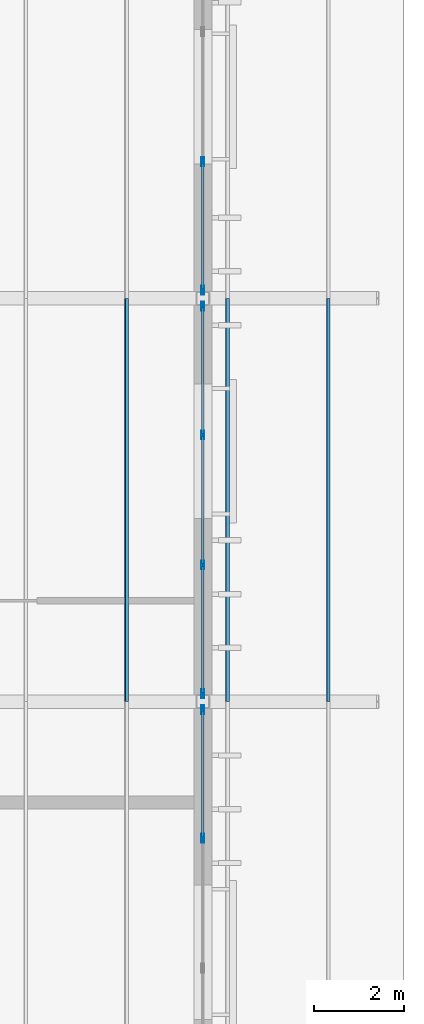
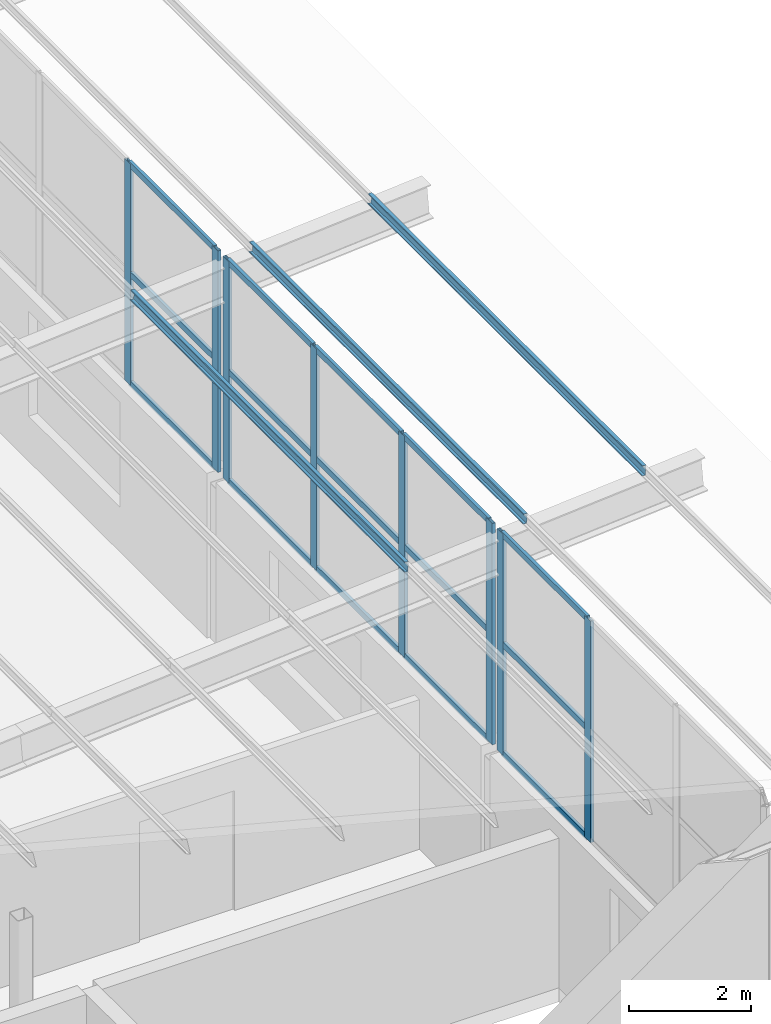
# One storey, part 42 of 85: 26 members, 3 elements without a shape of their own.
"""IFC4 building model written with IfcOpenShell, lengths in metres."""

from ifc_helpers import new_model, si_unit, direction, frame, origin, origin_2d, place, context, subcontext, project, spatial, polyline, hollow_rectangle, outline, extrude, material, layer, layer_set, material_profile, profile_set, type_object, element, aggregate, save


model = new_model("IFC4")

# Units and contexts
model_context = context("Model", 3, precision=1e-05, world=origin(), true_north=direction((0.0, 1.0)))
body_context = subcontext(model_context, "Body", "Model", "MODEL_VIEW")
ifc_project = project(units=[si_unit("LENGTHUNIT", "METRE"), si_unit("AREAUNIT", "SQUARE_METRE"), si_unit("VOLUMEUNIT", "CUBIC_METRE"), si_unit("PLANEANGLEUNIT", "RADIAN"), si_unit("MASSUNIT", "GRAM", prefix="KILO")], contexts=[model_context])

# Site, building, storey
site_placement = place(None, origin())
site = spatial("IfcSite", under=ifc_project, at=site_placement, CompositionType="ELEMENT")
building_placement = place(site_placement, origin())
building = spatial("IfcBuilding", under=site, at=building_placement, Name="Opaline Strait Convention Centre", CompositionType="ELEMENT")
storey_placement = place(building_placement, frame((0.0, 0.0, 17.0)))
storey = spatial("IfcBuildingStorey", under=building, at=storey_placement, Name="L03", CompositionType="ELEMENT", Elevation=17.0)

# Curtain wall, members
ifc_material_1 = material(Name="Aluminium framed double glazing", Category="aluminium")
ifc_layer = layer(ifc_material_1, 0.199951171875)
ifc_layer_set = layer_set([ifc_layer], Name="Aluminium framed double glazing")
curtain_wall_type = type_object("IfcCurtainWallType", Name="Curtain wall 3000 module unitised", PredefinedType="NOTDEFINED", material=ifc_layer_set)
curtain_wall_1_placement = place(storey_placement, origin())
curtain_wall_1 = element("IfcCurtainWall", 1, at=curtain_wall_1_placement, inside=storey, type_object=curtain_wall_type, Name="Clerestory curtain wall E L03 41/L", PredefinedType="NOTDEFINED")
ifc_material_2 = material(Name="Aluminium alloy 6063", Category="aluminium")
ifc_material_profile_1 = material_profile(ifc_material_2, hollow_rectangle(XDim=0.06005859375, YDim=0.199951171875, WallThickness=0.00390625, at=origin_2d()), Name="MULLION 60x200x4")
ifc_profile_set_1 = profile_set([ifc_material_profile_1], Name="Aluminium alloy 6063")
member_type_1 = type_object("IfcMemberType", Name="Curtain wall mullion 60 x 200", PredefinedType="MULLION", material=ifc_profile_set_1)
member_1_placement = place(storey_placement, frame((360.0, 95.949951171875, 3.300048828125), z_axis=(0.0, 0.0, 1.0), x_axis=(-1.0, 0.0, 0.0)))
member_1 = element("IfcMember", 2, at=member_1_placement, type_object=member_type_1, Name="MCWR1 mullion 3", PredefinedType="MULLION", context=body_context, shape_type="SweptSolid", body=[
    extrude(hollow_rectangle(XDim=0.06005859375, YDim=0.199951171875, WallThickness=0.00390625, at=origin_2d()), origin(), (0.0, 0.0, 1.0), 4.43603515625),
])
member_2_placement = place(storey_placement, frame((360.0, 98.820068359375, 3.300048828125), z_axis=(0.0, 0.0, 1.0), x_axis=(-1.0, 0.0, 0.0)))
member_2 = element("IfcMember", 3, at=member_2_placement, type_object=member_type_1, Name="MCWR1 mullion 4", PredefinedType="MULLION", context=body_context, shape_type="SweptSolid", body=[
    extrude(hollow_rectangle(XDim=0.06005859375, YDim=0.199951171875, WallThickness=0.00390625, at=origin_2d()), origin(), (0.0, 0.0, 1.0), 4.43603515625),
])

curtain_wall_2_placement = place(storey_placement, origin())
curtain_wall_2 = element("IfcCurtainWall", 4, at=curtain_wall_2_placement, inside=storey, type_object=curtain_wall_type, Name="Clerestory curtain wall E L03 41/M", PredefinedType="NOTDEFINED")
member_3_placement = place(storey_placement, frame((360.0, 99.179931640625, 3.300048828125), z_axis=(0.0, 0.0, 1.0), x_axis=(-1.0, 0.0, 0.0)))
member_3 = element("IfcMember", 5, at=member_3_placement, type_object=member_type_1, Name="MCWR1 mullion 1", PredefinedType="MULLION", context=body_context, shape_type="SweptSolid", body=[
    extrude(hollow_rectangle(XDim=0.06005859375, YDim=0.199951171875, WallThickness=0.00390625, at=origin_2d()), origin(), (0.0, 0.0, 1.0), 4.43603515625),
])
member_4_placement = place(storey_placement, frame((360.0, 102.050048828125, 3.300048828125), z_axis=(0.0, 0.0, 1.0), x_axis=(-1.0, 0.0, 0.0)))
member_4 = element("IfcMember", 6, at=member_4_placement, type_object=member_type_1, Name="MCWR1 mullion 2", PredefinedType="MULLION", context=body_context, shape_type="SweptSolid", body=[
    extrude(hollow_rectangle(XDim=0.06005859375, YDim=0.199951171875, WallThickness=0.00390625, at=origin_2d()), origin(), (0.0, 0.0, 1.0), 4.43603515625),
])
member_5_placement = place(storey_placement, frame((360.0, 104.949951171875, 3.300048828125), z_axis=(0.0, 0.0, 1.0), x_axis=(-1.0, 0.0, 0.0)))
member_5 = element("IfcMember", 7, at=member_5_placement, type_object=member_type_1, Name="MCWR1 mullion 3", PredefinedType="MULLION", context=body_context, shape_type="SweptSolid", body=[
    extrude(hollow_rectangle(XDim=0.06005859375, YDim=0.199951171875, WallThickness=0.00390625, at=origin_2d()), origin(), (0.0, 0.0, 1.0), 4.43603515625),
])
member_6_placement = place(storey_placement, frame((360.0, 107.820068359375, 3.300048828125), z_axis=(0.0, 0.0, 1.0), x_axis=(-1.0, 0.0, 0.0)))
member_6 = element("IfcMember", 8, at=member_6_placement, type_object=member_type_1, Name="MCWR1 mullion 4", PredefinedType="MULLION", context=body_context, shape_type="SweptSolid", body=[
    extrude(hollow_rectangle(XDim=0.06005859375, YDim=0.199951171875, WallThickness=0.00390625, at=origin_2d()), origin(), (0.0, 0.0, 1.0), 4.43603515625),
])

curtain_wall_3_placement = place(storey_placement, origin())
curtain_wall_3 = element("IfcCurtainWall", 9, at=curtain_wall_3_placement, inside=storey, type_object=curtain_wall_type, Name="Clerestory curtain wall E L03 41/N", PredefinedType="NOTDEFINED")
member_7_placement = place(storey_placement, frame((360.0, 108.179931640625, 3.300048828125), z_axis=(0.0, 0.0, 1.0), x_axis=(-1.0, 0.0, 0.0)))
member_7 = element("IfcMember", 10, at=member_7_placement, type_object=member_type_1, Name="MCWR1 mullion 1", PredefinedType="MULLION", context=body_context, shape_type="SweptSolid", body=[
    extrude(hollow_rectangle(XDim=0.06005859375, YDim=0.199951171875, WallThickness=0.00390625, at=origin_2d()), origin(), (0.0, 0.0, 1.0), 4.43603515625),
])
member_8_placement = place(storey_placement, frame((360.0, 111.050048828125, 3.300048828125), z_axis=(0.0, 0.0, 1.0), x_axis=(-1.0, 0.0, 0.0)))
member_8 = element("IfcMember", 11, at=member_8_placement, type_object=member_type_1, Name="MCWR1 mullion 2", PredefinedType="MULLION", context=body_context, shape_type="SweptSolid", body=[
    extrude(hollow_rectangle(XDim=0.06005859375, YDim=0.199951171875, WallThickness=0.00390625, at=origin_2d()), origin(), (0.0, 0.0, 1.0), 4.43603515625),
])

# Member
ifc_material_profile_2 = material_profile(ifc_material_2, hollow_rectangle(XDim=0.06005859375, YDim=0.1201171875, WallThickness=0.0029296875, at=origin_2d()), Name="TRANSOM 60x120x3")
ifc_profile_set_2 = profile_set([ifc_material_profile_2], Name="Aluminium alloy 6063")
member_type_2 = type_object("IfcMemberType", Name="Curtain wall transom 60 x 120", PredefinedType="USERDEFINED", material=ifc_profile_set_2)
member_9_placement = place(storey_placement, frame((360.0, 95.97998046875, 3.330078125), z_axis=(0.0, 1.0, 0.0), x_axis=(-1.0, 0.0, 0.0)))
member_9 = element("IfcMember", 12, at=member_9_placement, type_object=member_type_2, Name="MCWR1 transom 3.1", ObjectType="TRANSOM", PredefinedType="USERDEFINED", context=body_context, shape_type="SweptSolid", body=[
    extrude(hollow_rectangle(XDim=0.06005859375, YDim=0.1201171875, WallThickness=0.0029296875, at=origin_2d()), origin(), (0.0, 0.0, 1.0), 2.81005859375),
])

member_10_placement = place(storey_placement, frame((360.0, 95.97998046875, 5.51806640625), z_axis=(0.0, 1.0, 0.0), x_axis=(-1.0, 0.0, 0.0)))
member_10 = element("IfcMember", 13, at=member_10_placement, type_object=member_type_2, Name="MCWR1 transom 3.2", ObjectType="TRANSOM", PredefinedType="USERDEFINED", context=body_context, shape_type="SweptSolid", body=[
    extrude(hollow_rectangle(XDim=0.06005859375, YDim=0.1201171875, WallThickness=0.0029296875, at=origin_2d()), origin(), (0.0, 0.0, 1.0), 2.81005859375),
])

member_11_placement = place(storey_placement, frame((360.0, 95.97998046875, 7.7060546875), z_axis=(0.0, 1.0, 0.0), x_axis=(-1.0, 0.0, 0.0)))
member_11 = element("IfcMember", 14, at=member_11_placement, type_object=member_type_2, Name="MCWR1 transom 3.3", ObjectType="TRANSOM", PredefinedType="USERDEFINED", context=body_context, shape_type="SweptSolid", body=[
    extrude(hollow_rectangle(XDim=0.06005859375, YDim=0.1201171875, WallThickness=0.0029296875, at=origin_2d()), origin(), (0.0, 0.0, 1.0), 2.81005859375),
])

aggregate(curtain_wall_1, [member_1, member_2, member_9, member_10, member_11])

member_12_placement = place(storey_placement, frame((360.0, 99.2099609375, 3.330078125), z_axis=(0.0, 1.0, 0.0), x_axis=(-1.0, 0.0, 0.0)))
member_12 = element("IfcMember", 15, at=member_12_placement, type_object=member_type_2, Name="MCWR1 transom 1.1", ObjectType="TRANSOM", PredefinedType="USERDEFINED", context=body_context, shape_type="SweptSolid", body=[
    extrude(hollow_rectangle(XDim=0.06005859375, YDim=0.1201171875, WallThickness=0.0029296875, at=origin_2d()), origin(), (0.0, 0.0, 1.0), 2.81005859375),
])

member_13_placement = place(storey_placement, frame((360.0, 99.2099609375, 5.51806640625), z_axis=(0.0, 1.0, 0.0), x_axis=(-1.0, 0.0, 0.0)))
member_13 = element("IfcMember", 16, at=member_13_placement, type_object=member_type_2, Name="MCWR1 transom 1.2", ObjectType="TRANSOM", PredefinedType="USERDEFINED", context=body_context, shape_type="SweptSolid", body=[
    extrude(hollow_rectangle(XDim=0.06005859375, YDim=0.1201171875, WallThickness=0.0029296875, at=origin_2d()), origin(), (0.0, 0.0, 1.0), 2.81005859375),
])

member_14_placement = place(storey_placement, frame((360.0, 99.2099609375, 7.7060546875), z_axis=(0.0, 1.0, 0.0), x_axis=(-1.0, 0.0, 0.0)))
member_14 = element("IfcMember", 17, at=member_14_placement, type_object=member_type_2, Name="MCWR1 transom 1.3", ObjectType="TRANSOM", PredefinedType="USERDEFINED", context=body_context, shape_type="SweptSolid", body=[
    extrude(hollow_rectangle(XDim=0.06005859375, YDim=0.1201171875, WallThickness=0.0029296875, at=origin_2d()), origin(), (0.0, 0.0, 1.0), 2.81005859375),
])

member_15_placement = place(storey_placement, frame((360.0, 102.080078125, 3.330078125), z_axis=(0.0, 1.0, 0.0), x_axis=(-1.0, 0.0, 0.0)))
member_15 = element("IfcMember", 18, at=member_15_placement, type_object=member_type_2, Name="MCWR1 transom 2.1", ObjectType="TRANSOM", PredefinedType="USERDEFINED", context=body_context, shape_type="SweptSolid", body=[
    extrude(hollow_rectangle(XDim=0.06005859375, YDim=0.1201171875, WallThickness=0.0029296875, at=origin_2d()), origin(), (0.0, 0.0, 1.0), 2.83984375),
])

member_16_placement = place(storey_placement, frame((360.0, 102.080078125, 5.51806640625), z_axis=(0.0, 1.0, 0.0), x_axis=(-1.0, 0.0, 0.0)))
member_16 = element("IfcMember", 19, at=member_16_placement, type_object=member_type_2, Name="MCWR1 transom 2.2", ObjectType="TRANSOM", PredefinedType="USERDEFINED", context=body_context, shape_type="SweptSolid", body=[
    extrude(hollow_rectangle(XDim=0.06005859375, YDim=0.1201171875, WallThickness=0.0029296875, at=origin_2d()), origin(), (0.0, 0.0, 1.0), 2.83984375),
])

member_17_placement = place(storey_placement, frame((360.0, 102.080078125, 7.7060546875), z_axis=(0.0, 1.0, 0.0), x_axis=(-1.0, 0.0, 0.0)))
member_17 = element("IfcMember", 20, at=member_17_placement, type_object=member_type_2, Name="MCWR1 transom 2.3", ObjectType="TRANSOM", PredefinedType="USERDEFINED", context=body_context, shape_type="SweptSolid", body=[
    extrude(hollow_rectangle(XDim=0.06005859375, YDim=0.1201171875, WallThickness=0.0029296875, at=origin_2d()), origin(), (0.0, 0.0, 1.0), 2.83984375),
])

member_18_placement = place(storey_placement, frame((360.0, 104.97998046875, 3.330078125), z_axis=(0.0, 1.0, 0.0), x_axis=(-1.0, 0.0, 0.0)))
member_18 = element("IfcMember", 21, at=member_18_placement, type_object=member_type_2, Name="MCWR1 transom 3.1", ObjectType="TRANSOM", PredefinedType="USERDEFINED", context=body_context, shape_type="SweptSolid", body=[
    extrude(hollow_rectangle(XDim=0.06005859375, YDim=0.1201171875, WallThickness=0.0029296875, at=origin_2d()), origin(), (0.0, 0.0, 1.0), 2.81005859375),
])

member_19_placement = place(storey_placement, frame((360.0, 104.97998046875, 5.51806640625), z_axis=(0.0, 1.0, 0.0), x_axis=(-1.0, 0.0, 0.0)))
member_19 = element("IfcMember", 22, at=member_19_placement, type_object=member_type_2, Name="MCWR1 transom 3.2", ObjectType="TRANSOM", PredefinedType="USERDEFINED", context=body_context, shape_type="SweptSolid", body=[
    extrude(hollow_rectangle(XDim=0.06005859375, YDim=0.1201171875, WallThickness=0.0029296875, at=origin_2d()), origin(), (0.0, 0.0, 1.0), 2.81005859375),
])

member_20_placement = place(storey_placement, frame((360.0, 104.97998046875, 7.7060546875), z_axis=(0.0, 1.0, 0.0), x_axis=(-1.0, 0.0, 0.0)))
member_20 = element("IfcMember", 23, at=member_20_placement, type_object=member_type_2, Name="MCWR1 transom 3.3", ObjectType="TRANSOM", PredefinedType="USERDEFINED", context=body_context, shape_type="SweptSolid", body=[
    extrude(hollow_rectangle(XDim=0.06005859375, YDim=0.1201171875, WallThickness=0.0029296875, at=origin_2d()), origin(), (0.0, 0.0, 1.0), 2.81005859375),
])

aggregate(curtain_wall_2, [member_3, member_4, member_5, member_6, member_12, member_13, member_14, member_15, member_16, member_17, member_18, member_19, member_20])

member_21_placement = place(storey_placement, frame((360.0, 108.2099609375, 3.330078125), z_axis=(0.0, 1.0, 0.0), x_axis=(-1.0, 0.0, 0.0)))
member_21 = element("IfcMember", 24, at=member_21_placement, type_object=member_type_2, Name="MCWR1 transom 1.1", ObjectType="TRANSOM", PredefinedType="USERDEFINED", context=body_context, shape_type="SweptSolid", body=[
    extrude(hollow_rectangle(XDim=0.06005859375, YDim=0.1201171875, WallThickness=0.0029296875, at=origin_2d()), origin(), (0.0, 0.0, 1.0), 2.81005859375),
])

member_22_placement = place(storey_placement, frame((360.0, 108.2099609375, 5.51806640625), z_axis=(0.0, 1.0, 0.0), x_axis=(-1.0, 0.0, 0.0)))
member_22 = element("IfcMember", 25, at=member_22_placement, type_object=member_type_2, Name="MCWR1 transom 1.2", ObjectType="TRANSOM", PredefinedType="USERDEFINED", context=body_context, shape_type="SweptSolid", body=[
    extrude(hollow_rectangle(XDim=0.06005859375, YDim=0.1201171875, WallThickness=0.0029296875, at=origin_2d()), origin(), (0.0, 0.0, 1.0), 2.81005859375),
])

member_23_placement = place(storey_placement, frame((360.0, 108.2099609375, 7.7060546875), z_axis=(0.0, 1.0, 0.0), x_axis=(-1.0, 0.0, 0.0)))
member_23 = element("IfcMember", 26, at=member_23_placement, type_object=member_type_2, Name="MCWR1 transom 1.3", ObjectType="TRANSOM", PredefinedType="USERDEFINED", context=body_context, shape_type="SweptSolid", body=[
    extrude(hollow_rectangle(XDim=0.06005859375, YDim=0.1201171875, WallThickness=0.0029296875, at=origin_2d()), origin(), (0.0, 0.0, 1.0), 2.81005859375),
])

aggregate(curtain_wall_3, [member_7, member_8, member_21, member_22, member_23])

# Members
ifc_material_3 = material(Name="Steel Q355B", Category="steel")
ifc_material_profile_3 = material_profile(ifc_material_3, outline(polyline([(-0.034912109375, -0.10009765625), (0.034912109375, -0.10009765625), (0.034912109375, -0.080078125), (0.032470703125, -0.080078125), (0.032470703125, -0.097412109375), (-0.032470703125, -0.097412109375), (-0.032470703125, 0.097412109375), (0.032470703125, 0.097412109375), (0.032470703125, 0.080078125), (0.034912109375, 0.080078125), (0.034912109375, 0.10009765625), (-0.034912109375, 0.10009765625), (-0.034912109375, -0.10009765625)])), Name="C 200x70x20x2.5")
ifc_profile_set_3 = profile_set([ifc_material_profile_3], Name="Steel Q355B")
member_type_3 = type_object("IfcMemberType", Name="Roof purlin C 200x70x20x2.5", PredefinedType="PURLIN", material=ifc_profile_set_3)
for number, where, z_axis, x_axis, name in (
    (27, (358.300048828125, 99.0, 7.501953125), (0.0, 1.0, 0.0), (-0.996917333733, 0.0, 0.078459095728), "MRP1 purlin E wing 372"),
    (28, (360.550048828125, 99.0, 7.678955078125), (0.0, 1.0, 0.0), (-0.996917333733, 0.0, 0.078459095728), "MRP1 purlin E wing 382"),
    (29, (362.800048828125, 99.0, 7.856201171875), (0.0, 1.0, 0.0), (-0.996917333733, 0.0, 0.078459095728), "MRP1 purlin E wing 392"),
):
    element("IfcMember", number, at=place(storey_placement, frame(where, z_axis=z_axis, x_axis=x_axis)), inside=storey, type_object=member_type_3, Name=name, PredefinedType="PURLIN", context=body_context, shape_type="SweptSolid", body=[
        extrude(outline(polyline([(-0.034912109375, -0.10009765625), (0.034912109375, -0.10009765625), (0.034912109375, -0.080078125), (0.032470703125, -0.080078125), (0.032470703125, -0.097412109375), (-0.032470703125, -0.097412109375), (-0.032470703125, 0.097412109375), (0.032470703125, 0.097412109375), (0.032470703125, 0.080078125), (0.034912109375, 0.080078125), (0.034912109375, 0.10009765625), (-0.034912109375, 0.10009765625), (-0.034912109375, -0.10009765625)])), origin(), (0.0, 0.0, 1.0), 9.0),
    ])

save(model, "model.ifc")
